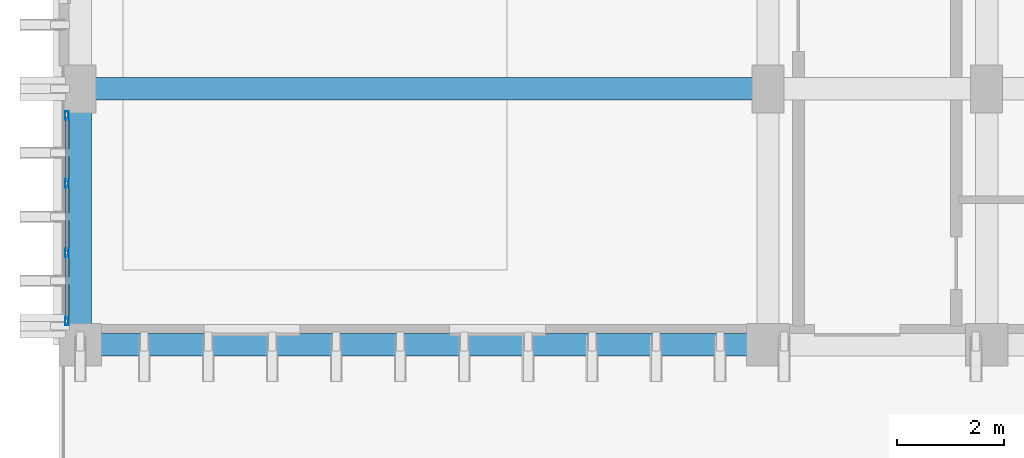
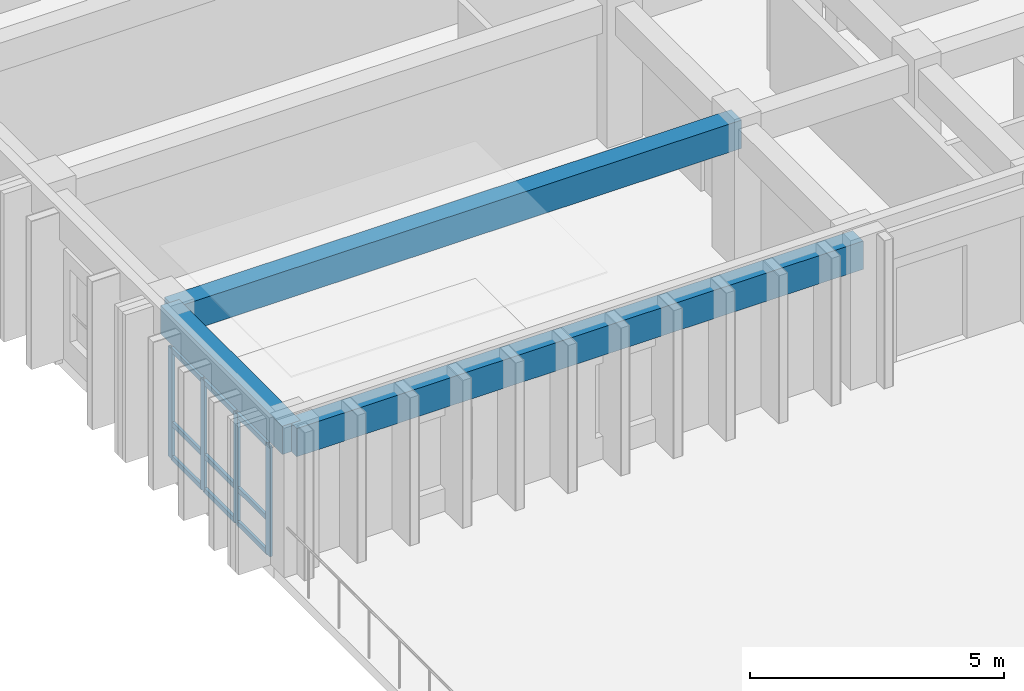
# One storey, part 2 of 82: 13 members, 3 beams, 1 element without a shape of its own.
"""IFC4 building model written with IfcOpenShell, lengths in metres."""

from ifc_helpers import new_model, si_unit, direction, frame, origin, origin_2d, place, context, subcontext, project, spatial, rectangle, hollow_rectangle, extrude, material, layer, layer_set, material_profile, profile_set, type_object, element, aggregate, save


model = new_model("IFC4")

# Units and contexts
model_context = context("Model", 3, precision=1e-05, world=origin(), true_north=direction((0.0, 1.0)))
body_context = subcontext(model_context, "Body", "Model", "MODEL_VIEW")
ifc_project = project(units=[si_unit("LENGTHUNIT", "METRE"), si_unit("AREAUNIT", "SQUARE_METRE"), si_unit("VOLUMEUNIT", "CUBIC_METRE"), si_unit("PLANEANGLEUNIT", "RADIAN"), si_unit("MASSUNIT", "GRAM", prefix="KILO")], contexts=[model_context])

# Site, building, storey
site_placement = place(None, origin())
site = spatial("IfcSite", under=ifc_project, at=site_placement, CompositionType="ELEMENT")
building_placement = place(site_placement, origin())
building = spatial("IfcBuilding", under=site, at=building_placement, Name="Nakhvara Creek Congress Hotel", CompositionType="ELEMENT")
storey_placement = place(building_placement, frame((0.0, 0.0, 21.0)))
storey = spatial("IfcBuildingStorey", under=building, at=storey_placement, Name="L04", CompositionType="ELEMENT", Elevation=21.0)

# Beams
ifc_material_1 = material(Name="Concrete C40/50", Category="concrete")
ifc_material_profile_1 = material_profile(ifc_material_1, rectangle(XDim=0.419921875, YDim=0.679931640625, at=origin_2d()), Name="RC-BM 420x680", Category="LoadBearing")
ifc_profile_set_1 = profile_set([ifc_material_profile_1], Name="Concrete C40/50")
beam_type = type_object("IfcBeamType", Name="BM-RC-420X680", PredefinedType="BEAM", material=ifc_profile_set_1)
beam_1_placement = place(storey_placement, frame((149.449951171875, 19.199951171875, 3.0), z_axis=(1.0, 0.0, 0.0), x_axis=(0.0, 1.0, 0.0)))
element("IfcBeam", 1, at=beam_1_placement, inside=storey, type_object=beam_type, Name="Beam B11-L04-1909", PredefinedType="BEAM", context=body_context, shape_type="SweptSolid", body=[
    extrude(rectangle(XDim=0.419921875, YDim=0.679931640625, at=origin_2d()), origin(), (0.0, 0.0, 1.0), 12.900146484375),
])
beam_2_placement = place(storey_placement, frame((149.449951171875, 19.199951171875, 3.0), z_axis=(0.0, 1.0, 0.0), x_axis=(-1.0, 0.0, 0.0)))
element("IfcBeam", 2, at=beam_2_placement, inside=storey, type_object=beam_type, Name="Beam B11-L04-1910", PredefinedType="BEAM", context=body_context, shape_type="SweptSolid", body=[
    extrude(rectangle(XDim=0.419921875, YDim=0.679931640625, at=origin_2d()), origin(), (0.0, 0.0, 1.0), 4.800048828125),
])
beam_3_placement = place(storey_placement, frame((149.449951171875, 24.0, 3.0), z_axis=(1.0, 0.0, 0.0), x_axis=(0.0, 1.0, 0.0)))
element("IfcBeam", 3, at=beam_3_placement, inside=storey, type_object=beam_type, Name="Beam B11-L04-2029", PredefinedType="BEAM", context=body_context, shape_type="SweptSolid", body=[
    extrude(rectangle(XDim=0.419921875, YDim=0.679931640625, at=origin_2d()), origin(), (0.0, 0.0, 1.0), 12.900146484375),
])

# Curtain wall, members
ifc_material_2 = material(Name="Bronze-anodised aluminium AW-6063-T6 and double-silver low-E glass", Category="aluminium")
ifc_layer = layer(ifc_material_2, 0.199951171875)
ifc_layer_set = layer_set([ifc_layer], Name="Bronze-anodised aluminium AW-6063-T6 and double-silver low-E glass")
curtain_wall_type = type_object("IfcCurtainWallType", Name="CW-HTL-UNIT", PredefinedType="USERDEFINED", material=ifc_layer_set)
curtain_wall_placement = place(storey_placement, origin())
curtain_wall = element("IfcCurtainWall", 4, at=curtain_wall_placement, inside=storey, type_object=curtain_wall_type, Name="Curtain Wall CW173", ObjectType="UNITISED", PredefinedType="USERDEFINED")
ifc_material_3 = material(Name="Bronze-anodised aluminium AW-6063-T6", Category="aluminium")
ifc_material_profile_2 = material_profile(ifc_material_3, hollow_rectangle(XDim=0.06494140625, YDim=0.159912109375, WallThickness=0.00390625, at=origin_2d()), Name="ALU-MULL 65x160x4", Category="LoadBearing")
ifc_profile_set_2 = profile_set([ifc_material_profile_2], Name="Bronze-anodised aluminium AW-6063-T6")
member_type_1 = type_object("IfcMemberType", Name="CW-MULL-160", PredefinedType="MULLION", material=ifc_profile_set_2)
member_1_placement = place(storey_placement, frame((149.199951171875, 19.6474609375, 0.0), z_axis=(0.0, 0.0, 1.0), x_axis=(-1.0, 0.0, 0.0)))
member_1 = element("IfcMember", 5, at=member_1_placement, type_object=member_type_1, Name="CW173 mullion 1", PredefinedType="MULLION", context=body_context, shape_type="SweptSolid", body=[
    extrude(hollow_rectangle(XDim=0.06494140625, YDim=0.159912109375, WallThickness=0.00390625, at=origin_2d()), origin(), (0.0, 0.0, 1.0), 2.652099609375),
])
member_2_placement = place(storey_placement, frame((149.199951171875, 20.921630859375, 0.0), z_axis=(0.0, 0.0, 1.0), x_axis=(-1.0, 0.0, 0.0)))
member_2 = element("IfcMember", 6, at=member_2_placement, type_object=member_type_1, Name="CW173 mullion 2", PredefinedType="MULLION", context=body_context, shape_type="SweptSolid", body=[
    extrude(hollow_rectangle(XDim=0.06494140625, YDim=0.159912109375, WallThickness=0.00390625, at=origin_2d()), origin(), (0.0, 0.0, 1.0), 2.652099609375),
])
member_3_placement = place(storey_placement, frame((149.199951171875, 22.228271484375, 0.0), z_axis=(0.0, 0.0, 1.0), x_axis=(-1.0, 0.0, 0.0)))
member_3 = element("IfcMember", 7, at=member_3_placement, type_object=member_type_1, Name="CW173 mullion 3", PredefinedType="MULLION", context=body_context, shape_type="SweptSolid", body=[
    extrude(hollow_rectangle(XDim=0.06494140625, YDim=0.159912109375, WallThickness=0.00390625, at=origin_2d()), origin(), (0.0, 0.0, 1.0), 2.652099609375),
])
member_4_placement = place(storey_placement, frame((149.199951171875, 23.50244140625, 0.0), z_axis=(0.0, 0.0, 1.0), x_axis=(-1.0, 0.0, 0.0)))
member_4 = element("IfcMember", 8, at=member_4_placement, type_object=member_type_1, Name="CW173 mullion 4", PredefinedType="MULLION", context=body_context, shape_type="SweptSolid", body=[
    extrude(hollow_rectangle(XDim=0.06494140625, YDim=0.159912109375, WallThickness=0.00390625, at=origin_2d()), origin(), (0.0, 0.0, 1.0), 2.652099609375),
])
ifc_material_profile_3 = material_profile(ifc_material_3, hollow_rectangle(XDim=0.06494140625, YDim=0.1201171875, WallThickness=0.00390625, at=origin_2d()), Name="ALU-TRAN 65x120x4", Category="LoadBearing")
ifc_profile_set_3 = profile_set([ifc_material_profile_3], Name="Bronze-anodised aluminium AW-6063-T6")
member_type_2 = type_object("IfcMemberType", Name="CW-TRAN-120", PredefinedType="USERDEFINED", material=ifc_profile_set_3)
member_5_placement = place(storey_placement, frame((149.199951171875, 19.679931640625, 0.032470703125), z_axis=(0.0, 1.0, 0.0), x_axis=(-1.0, 0.0, 0.0)))
member_5 = element("IfcMember", 9, at=member_5_placement, type_object=member_type_2, Name="CW173 transom 1.1", ObjectType="TRANSOM", PredefinedType="USERDEFINED", context=body_context, shape_type="SweptSolid", body=[
    extrude(hollow_rectangle(XDim=0.06494140625, YDim=0.1201171875, WallThickness=0.00390625, at=origin_2d()), origin(), (0.0, 0.0, 1.0), 1.209228515625),
])
member_6_placement = place(storey_placement, frame((149.199951171875, 19.679931640625, 0.85009765625), z_axis=(0.0, 1.0, 0.0), x_axis=(-1.0, 0.0, 0.0)))
member_6 = element("IfcMember", 10, at=member_6_placement, type_object=member_type_2, Name="CW173 transom 1.2", ObjectType="TRANSOM", PredefinedType="USERDEFINED", context=body_context, shape_type="SweptSolid", body=[
    extrude(hollow_rectangle(XDim=0.06494140625, YDim=0.1201171875, WallThickness=0.00390625, at=origin_2d()), origin(), (0.0, 0.0, 1.0), 1.209228515625),
])
member_7_placement = place(storey_placement, frame((149.199951171875, 19.679931640625, 2.619384765625), z_axis=(0.0, 1.0, 0.0), x_axis=(-1.0, 0.0, 0.0)))
member_7 = element("IfcMember", 11, at=member_7_placement, type_object=member_type_2, Name="CW173 transom 1.3", ObjectType="TRANSOM", PredefinedType="USERDEFINED", context=body_context, shape_type="SweptSolid", body=[
    extrude(hollow_rectangle(XDim=0.06494140625, YDim=0.1201171875, WallThickness=0.00390625, at=origin_2d()), origin(), (0.0, 0.0, 1.0), 1.209228515625),
])
member_8_placement = place(storey_placement, frame((149.199951171875, 20.9541015625, 0.032470703125), z_axis=(0.0, 1.0, 0.0), x_axis=(-1.0, 0.0, 0.0)))
member_8 = element("IfcMember", 12, at=member_8_placement, type_object=member_type_2, Name="CW173 transom 2.1", ObjectType="TRANSOM", PredefinedType="USERDEFINED", context=body_context, shape_type="SweptSolid", body=[
    extrude(hollow_rectangle(XDim=0.06494140625, YDim=0.1201171875, WallThickness=0.00390625, at=origin_2d()), origin(), (0.0, 0.0, 1.0), 1.24169921875),
])
member_9_placement = place(storey_placement, frame((149.199951171875, 20.9541015625, 0.85009765625), z_axis=(0.0, 1.0, 0.0), x_axis=(-1.0, 0.0, 0.0)))
member_9 = element("IfcMember", 13, at=member_9_placement, type_object=member_type_2, Name="CW173 transom 2.2", ObjectType="TRANSOM", PredefinedType="USERDEFINED", context=body_context, shape_type="SweptSolid", body=[
    extrude(hollow_rectangle(XDim=0.06494140625, YDim=0.1201171875, WallThickness=0.00390625, at=origin_2d()), origin(), (0.0, 0.0, 1.0), 1.24169921875),
])
member_10_placement = place(storey_placement, frame((149.199951171875, 20.9541015625, 2.619384765625), z_axis=(0.0, 1.0, 0.0), x_axis=(-1.0, 0.0, 0.0)))
member_10 = element("IfcMember", 14, at=member_10_placement, type_object=member_type_2, Name="CW173 transom 2.3", ObjectType="TRANSOM", PredefinedType="USERDEFINED", context=body_context, shape_type="SweptSolid", body=[
    extrude(hollow_rectangle(XDim=0.06494140625, YDim=0.1201171875, WallThickness=0.00390625, at=origin_2d()), origin(), (0.0, 0.0, 1.0), 1.24169921875),
])
member_11_placement = place(storey_placement, frame((149.199951171875, 22.2607421875, 0.032470703125), z_axis=(0.0, 1.0, 0.0), x_axis=(-1.0, 0.0, 0.0)))
member_11 = element("IfcMember", 15, at=member_11_placement, type_object=member_type_2, Name="CW173 transom 3.1", ObjectType="TRANSOM", PredefinedType="USERDEFINED", context=body_context, shape_type="SweptSolid", body=[
    extrude(hollow_rectangle(XDim=0.06494140625, YDim=0.1201171875, WallThickness=0.00390625, at=origin_2d()), origin(), (0.0, 0.0, 1.0), 1.209228515625),
])
member_12_placement = place(storey_placement, frame((149.199951171875, 22.2607421875, 0.85009765625), z_axis=(0.0, 1.0, 0.0), x_axis=(-1.0, 0.0, 0.0)))
member_12 = element("IfcMember", 16, at=member_12_placement, type_object=member_type_2, Name="CW173 transom 3.2", ObjectType="TRANSOM", PredefinedType="USERDEFINED", context=body_context, shape_type="SweptSolid", body=[
    extrude(hollow_rectangle(XDim=0.06494140625, YDim=0.1201171875, WallThickness=0.00390625, at=origin_2d()), origin(), (0.0, 0.0, 1.0), 1.209228515625),
])
member_13_placement = place(storey_placement, frame((149.199951171875, 22.2607421875, 2.619384765625), z_axis=(0.0, 1.0, 0.0), x_axis=(-1.0, 0.0, 0.0)))
member_13 = element("IfcMember", 17, at=member_13_placement, type_object=member_type_2, Name="CW173 transom 3.3", ObjectType="TRANSOM", PredefinedType="USERDEFINED", context=body_context, shape_type="SweptSolid", body=[
    extrude(hollow_rectangle(XDim=0.06494140625, YDim=0.1201171875, WallThickness=0.00390625, at=origin_2d()), origin(), (0.0, 0.0, 1.0), 1.209228515625),
])
aggregate(curtain_wall, [member_1, member_2, member_3, member_4, member_5, member_6, member_7, member_8, member_9, member_10, member_11, member_12, member_13])

save(model, "model.ifc")
